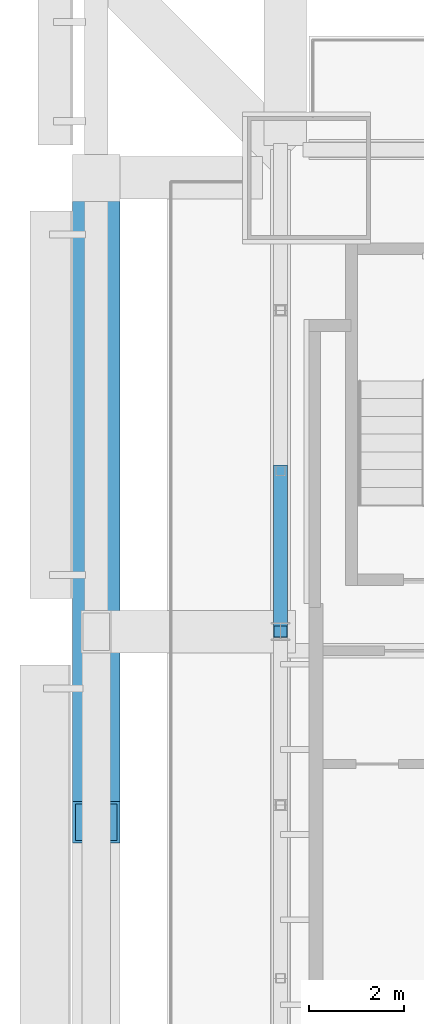
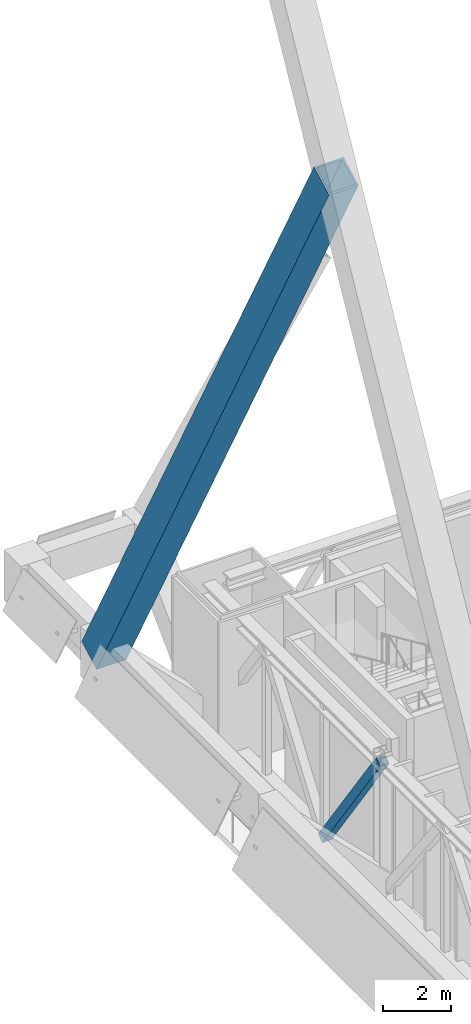
# One storey, part 8 of 30: 2 members.
"""IFC4 building model written with IfcOpenShell, lengths in metres."""

from ifc_helpers import new_model, si_unit, direction, frame, origin, origin_2d, place, context, subcontext, project, spatial, hollow_rectangle, extrude, material, material_profile, profile_set, type_object, element, save


model = new_model("IFC4")

# Units and contexts
model_context = context("Model", 3, precision=1e-05, world=origin(), true_north=direction((0.0, 1.0)))
body_context = subcontext(model_context, "Body", "Model", "MODEL_VIEW")
ifc_project = project(units=[si_unit("LENGTHUNIT", "METRE"), si_unit("AREAUNIT", "SQUARE_METRE"), si_unit("VOLUMEUNIT", "CUBIC_METRE"), si_unit("PLANEANGLEUNIT", "RADIAN"), si_unit("MASSUNIT", "GRAM", prefix="KILO")], contexts=[model_context])

# Site, building, storey
site_placement = place(None, origin())
site = spatial("IfcSite", under=ifc_project, at=site_placement, CompositionType="ELEMENT")
building_placement = place(site_placement, origin())
building = spatial("IfcBuilding", under=site, at=building_placement, Name="Bicima Exchange Tower", CompositionType="ELEMENT")
storey_placement = place(building_placement, frame((0.0, 0.0, 185.5)))
storey = spatial("IfcBuildingStorey", under=building, at=storey_placement, Name="L41", CompositionType="ELEMENT", Elevation=185.5)

# Members
ifc_material = material(Name="Steel ASTM A572 Gr 50", Category="steel")
ifc_material_profile_1 = material_profile(ifc_material, hollow_rectangle(XDim=0.3046875, YDim=0.3046875, WallThickness=0.01171875, at=origin_2d()))
ifc_profile_set_1 = profile_set([ifc_material_profile_1], Name="Steel ASTM A572 Gr 50")
member_type_1 = type_object("IfcMemberType", Name="Belt truss diagonal HSS12x12x1/2", PredefinedType="STRUT", material=ifc_profile_set_1)
member_1_placement = place(storey_placement, frame((-33.60009765625, -9.199951171875, 0.227294921875), z_axis=(0.0, -0.578402146369, 0.815751774179), x_axis=(1.0, 0.0, 0.0)))
element("IfcMember", 1, at=member_1_placement, inside=storey, type_object=member_type_1, Name="Truss diagonal", PredefinedType="STRUT", context=body_context, shape_type="SweptSolid", body=[
    extrude(hollow_rectangle(XDim=0.3046875, YDim=0.3046875, WallThickness=0.01171875, at=origin_2d()), origin(), (0.0, 0.0, 1.0), 5.87841796875),
])
ifc_material_profile_2 = material_profile(ifc_material, hollow_rectangle(XDim=1.0, YDim=1.0, WallThickness=0.06005859375, at=origin_2d()))
ifc_profile_set_2 = profile_set([ifc_material_profile_2], Name="Steel ASTM A572 Gr 50")
member_type_2 = type_object("IfcMemberType", Name="Exo mega brace BOX 1000x1000x60", PredefinedType="BRACE", material=ifc_profile_set_2)
member_2_placement = place(storey_placement, frame((-37.5, -3.0, 4.5), z_axis=(0.0, -0.474971300612, 0.880001286133), x_axis=(1.0, 0.0, 0.0)))
element("IfcMember", 2, at=member_2_placement, inside=storey, type_object=member_type_2, Name="Exo mega brace end", PredefinedType="BRACE", context=body_context, shape_type="SweptSolid", body=[
    extrude(hollow_rectangle(XDim=1.0, YDim=1.0, WallThickness=0.06005859375, at=origin_2d()), origin(), (0.0, 0.0, 1.0), 28.693115234375),
])

save(model, "model.ifc")
